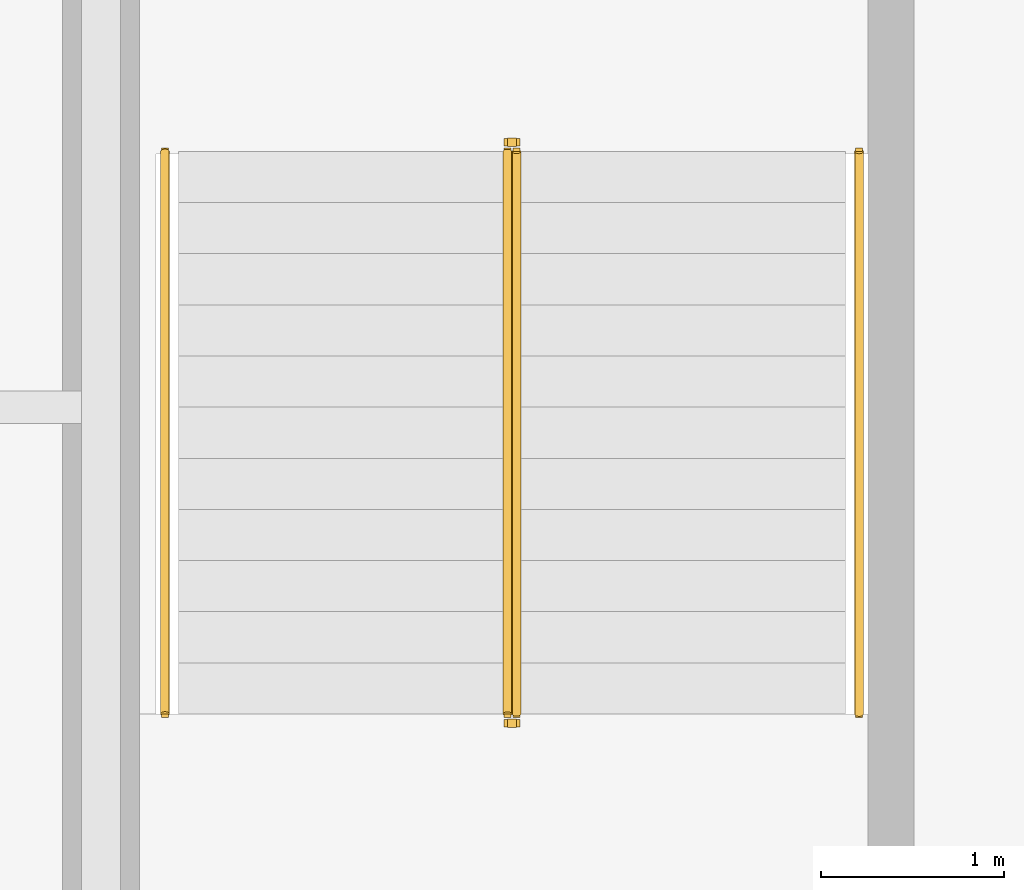
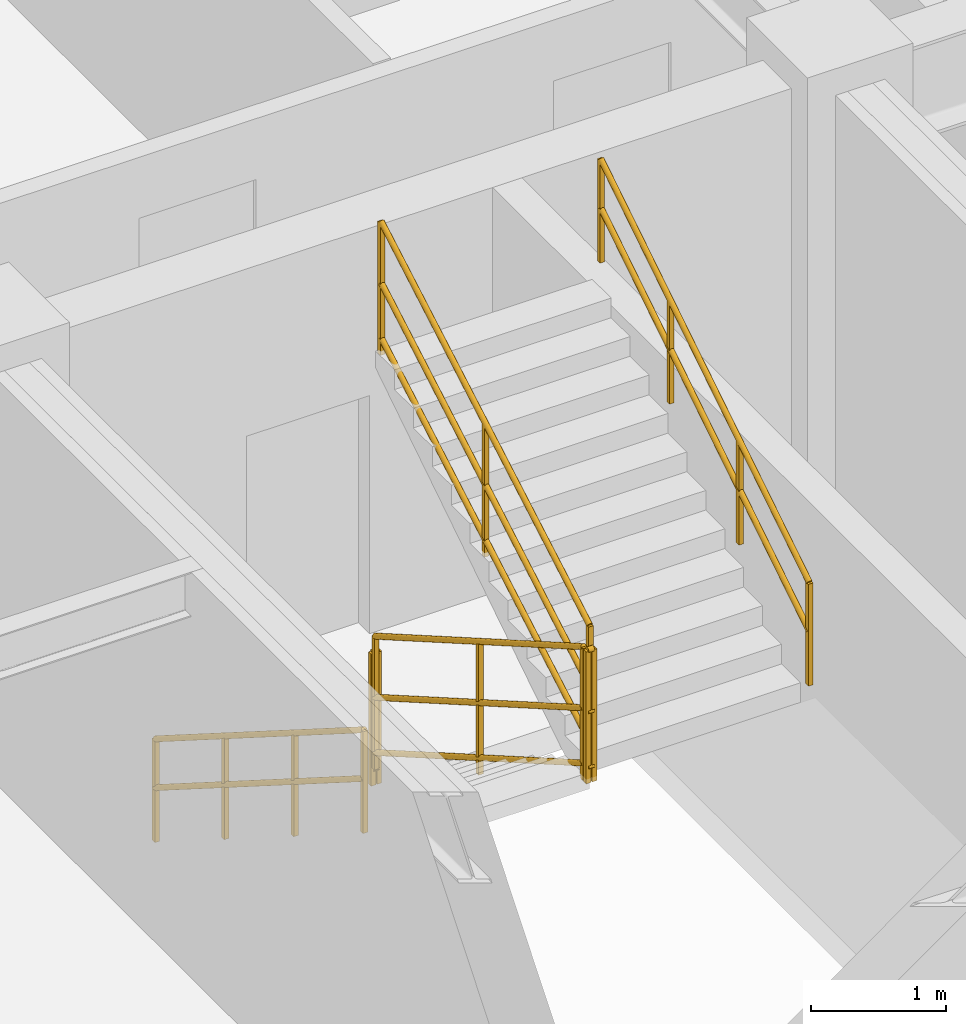
# One storey, part 10 of 10: 6 railings.
"""IFC4 building model written with IfcOpenShell, lengths in metres."""

from ifc_helpers import new_model, entity, si_unit, converted_unit, direction, frame, origin_with_axes, origin_2d_with_axis, place, context, subcontext, project, spatial, rectangle, circle, extrude, material, type_object, element, save


model = new_model("IFC4")

# Units and contexts
model_context = context("Model", 3, precision=1e-05, world=origin_with_axes(), true_north=direction((0.0, 1.0)))
body_context = subcontext(model_context, "Body", "Model", "MODEL_VIEW")
ifc_project = project(units=[si_unit("LENGTHUNIT", "METRE"), si_unit("AREAUNIT", "SQUARE_METRE"), si_unit("VOLUMEUNIT", "CUBIC_METRE"), converted_unit("PLANEANGLEUNIT", "DEGREE", entity("IfcPlaneAngleMeasure", 0.017453292519943295), si_unit("PLANEANGLEUNIT", "RADIAN"), dimensions=[0, 0, 0, 0, 0, 0, 0]), si_unit("MASSUNIT", "GRAM", prefix="KILO"), si_unit("THERMODYNAMICTEMPERATUREUNIT", "KELVIN")], contexts=[model_context])

# Site, building, storey
site_placement = place(None, origin_with_axes())
site = spatial("IfcSite", under=ifc_project, at=site_placement, CompositionType="ELEMENT")
building_placement = place(site_placement, origin_with_axes())
building = spatial("IfcBuilding", under=site, at=building_placement, Name="Varnlund Millrace Tower", CompositionType="ELEMENT")
storey_placement = place(building_placement, frame((0.0, 0.0, 228.6), z_axis=(0.0, 0.0, 1.0), x_axis=(1.0, 0.0, 0.0)))
storey = spatial("IfcBuildingStorey", under=building, at=storey_placement, Name="L56", CompositionType="ELEMENT", Elevation=228.6)

# Railings
ifc_material_1 = material(Name="Painted steel stair well balustrade guard", Category="steel")
railing_type_1 = type_object("IfcRailingType", Name="Type-StairGuard-1150", PredefinedType="GUARDRAIL", material=ifc_material_1)
railing_1_placement = place(storey_placement, frame((0.0, 0.0, -228.6), z_axis=(0.0, 0.0, 1.0), x_axis=(1.0, 0.0, 0.0)))
element("IfcRailing", 1, at=railing_1_placement, inside=storey, type_object=railing_type_1, Name="Type-StairGuard-1150", PredefinedType="GUARDRAIL", context=body_context, shape_type="SweptSolid", body=[
    extrude(circle(Radius=0.024, at=origin_2d_with_axis()), frame((13.625, 35.9, 229.927273), z_axis=(0.0, -0.866696, 0.498836), x_axis=(1.0, 0.0, 0.0)), (0.0, 0.0, 1.0), 3.553725),
    extrude(circle(Radius=0.024, at=origin_2d_with_axis()), frame((13.625, 35.9, 228.877273), z_axis=(0.0, -0.866696, 0.498836), x_axis=(1.0, 0.0, 0.0)), (0.0, 0.0, 1.0), 3.553725),
    extrude(circle(Radius=0.024, at=origin_2d_with_axis()), frame((13.625, 35.9, 229.375273), z_axis=(0.0, -0.866696, 0.498836), x_axis=(1.0, 0.0, 0.0)), (0.0, 0.0, 1.0), 3.553725),
    extrude(rectangle(XDim=0.04, YDim=0.04, at=origin_2d_with_axis()), frame((13.625, 35.9, 228.737273), z_axis=(0.0, 0.0, 1.0), x_axis=(1.0, 0.0, 0.0)), (0.0, 0.0, 1.0), 1.19),
    extrude(rectangle(XDim=0.04, YDim=0.04, at=origin_2d_with_axis()), frame((13.625, 34.36, 229.623636), z_axis=(0.0, 0.0, 1.0), x_axis=(1.0, 0.0, 0.0)), (0.0, 0.0, 1.0), 1.19),
    extrude(rectangle(XDim=0.04, YDim=0.04, at=origin_2d_with_axis()), frame((13.625, 32.82, 230.51), z_axis=(0.0, 0.0, 1.0), x_axis=(1.0, 0.0, 0.0)), (0.0, 0.0, 1.0), 1.19),
])
railing_2_placement = place(storey_placement, frame((0.0, 0.0, -228.6), z_axis=(0.0, 0.0, 1.0), x_axis=(1.0, 0.0, 0.0)))
element("IfcRailing", 2, at=railing_2_placement, inside=storey, type_object=railing_type_1, Name="Type-StairGuard-1150", PredefinedType="GUARDRAIL", context=body_context, shape_type="SweptSolid", body=[
    extrude(circle(Radius=0.024, at=origin_2d_with_axis()), frame((13.675, 32.77, 231.7), z_axis=(-1.0, 0.0, 0.0), x_axis=(0.0, -1.0, 0.0)), (0.0, 0.0, 1.0), 0.05),
    extrude(circle(Radius=0.024, at=origin_2d_with_axis()), frame((13.675, 32.77, 230.65), z_axis=(-1.0, 0.0, 0.0), x_axis=(0.0, -1.0, 0.0)), (0.0, 0.0, 1.0), 0.05),
    extrude(circle(Radius=0.024, at=origin_2d_with_axis()), frame((13.675, 32.77, 231.148), z_axis=(-1.0, 0.0, 0.0), x_axis=(0.0, -1.0, 0.0)), (0.0, 0.0, 1.0), 0.05),
    extrude(rectangle(XDim=0.04, YDim=0.04, at=origin_2d_with_axis()), frame((13.675, 32.77, 230.51), z_axis=(0.0, 0.0, 1.0), x_axis=(1.0, 0.0, 0.0)), (0.0, 0.0, 1.0), 1.19),
    extrude(rectangle(XDim=0.04, YDim=0.04, at=origin_2d_with_axis()), frame((13.625, 32.77, 230.51), z_axis=(0.0, 0.0, 1.0), x_axis=(1.0, 0.0, 0.0)), (0.0, 0.0, 1.0), 1.19),
])
railing_3_placement = place(storey_placement, frame((0.0, 0.0, -228.6), z_axis=(0.0, 0.0, 1.0), x_axis=(1.0, 0.0, 0.0)))
element("IfcRailing", 3, at=railing_3_placement, inside=storey, type_object=railing_type_1, Name="Type-StairGuard-1150", PredefinedType="GUARDRAIL", context=body_context, shape_type="SweptSolid", body=[
    extrude(circle(Radius=0.024, at=origin_2d_with_axis()), frame((13.675, 32.82, 231.877273), z_axis=(0.0, 0.866696, 0.498836), x_axis=(-1.0, 0.0, 0.0)), (0.0, 0.0, 1.0), 3.553725),
    extrude(circle(Radius=0.024, at=origin_2d_with_axis()), frame((13.675, 32.82, 230.827273), z_axis=(0.0, 0.866696, 0.498836), x_axis=(-1.0, 0.0, 0.0)), (0.0, 0.0, 1.0), 3.553725),
    extrude(circle(Radius=0.024, at=origin_2d_with_axis()), frame((13.675, 32.82, 231.325273), z_axis=(0.0, 0.866696, 0.498836), x_axis=(-1.0, 0.0, 0.0)), (0.0, 0.0, 1.0), 3.553725),
    extrude(rectangle(XDim=0.04, YDim=0.04, at=origin_2d_with_axis()), frame((13.675, 32.82, 230.687273), z_axis=(0.0, 0.0, 1.0), x_axis=(1.0, 0.0, 0.0)), (0.0, 0.0, 1.0), 1.19),
    extrude(rectangle(XDim=0.04, YDim=0.04, at=origin_2d_with_axis()), frame((13.675, 34.36, 231.573636), z_axis=(0.0, 0.0, 1.0), x_axis=(1.0, 0.0, 0.0)), (0.0, 0.0, 1.0), 1.19),
    extrude(rectangle(XDim=0.04, YDim=0.04, at=origin_2d_with_axis()), frame((13.675, 35.9, 232.46), z_axis=(0.0, 0.0, 1.0), x_axis=(1.0, 0.0, 0.0)), (0.0, 0.0, 1.0), 1.19),
])
railing_4_placement = place(storey_placement, frame((0.0, 0.0, -228.6), z_axis=(0.0, 0.0, 1.0), x_axis=(1.0, 0.0, 0.0)))
element("IfcRailing", 4, at=railing_4_placement, inside=storey, type_object=railing_type_1, Name="Type-StairGuard-1150", PredefinedType="GUARDRAIL", context=body_context, shape_type="SweptSolid", body=[
    extrude(circle(Radius=0.024, at=origin_2d_with_axis()), frame((13.675, 35.95, 229.75), z_axis=(-1.0, 0.0, 0.0), x_axis=(0.0, -1.0, 0.0)), (0.0, 0.0, 1.0), 0.05),
    extrude(circle(Radius=0.024, at=origin_2d_with_axis()), frame((13.675, 35.95, 228.7), z_axis=(-1.0, 0.0, 0.0), x_axis=(0.0, -1.0, 0.0)), (0.0, 0.0, 1.0), 0.05),
    extrude(circle(Radius=0.024, at=origin_2d_with_axis()), frame((13.675, 35.95, 229.198), z_axis=(-1.0, 0.0, 0.0), x_axis=(0.0, -1.0, 0.0)), (0.0, 0.0, 1.0), 0.05),
    extrude(rectangle(XDim=0.04, YDim=0.04, at=origin_2d_with_axis()), frame((13.675, 35.95, 228.56), z_axis=(0.0, 0.0, 1.0), x_axis=(1.0, 0.0, 0.0)), (0.0, 0.0, 1.0), 1.19),
    extrude(rectangle(XDim=0.04, YDim=0.04, at=origin_2d_with_axis()), frame((13.625, 35.95, 228.56), z_axis=(0.0, 0.0, 1.0), x_axis=(1.0, 0.0, 0.0)), (0.0, 0.0, 1.0), 1.19),
])
ifc_material_2 = material(Name="Brushed architectural bronze stair handrail", Category="aluminium")
railing_type_2 = type_object("IfcRailingType", Name="Type-StairHandrail-900", PredefinedType="HANDRAIL", material=ifc_material_2)
railing_5_placement = place(storey_placement, frame((0.0, 0.0, -228.6), z_axis=(0.0, 0.0, 1.0), x_axis=(1.0, 0.0, 0.0)))
element("IfcRailing", 5, at=railing_5_placement, inside=storey, type_object=railing_type_2, Name="Type-StairHandrail-900", PredefinedType="HANDRAIL", context=body_context, shape_type="SweptSolid", body=[
    extrude(circle(Radius=0.024, at=origin_2d_with_axis()), frame((11.75, 35.9, 229.656995), z_axis=(0.0, -0.844902, 0.534922), x_axis=(1.0, 0.0, 0.0)), (0.0, 0.0, 1.0), 3.645394),
    extrude(circle(Radius=0.024, at=origin_2d_with_axis()), frame((11.75, 35.9, 229.217134), z_axis=(0.0, -0.844902, 0.534922), x_axis=(1.0, 0.0, 0.0)), (0.0, 0.0, 1.0), 3.645394),
    extrude(rectangle(XDim=0.04, YDim=0.04, at=origin_2d_with_axis()), frame((11.75, 35.9, 228.737273), z_axis=(0.0, 0.0, 1.0), x_axis=(1.0, 0.0, 0.0)), (0.0, 0.0, 1.0), 0.919722),
    extrude(rectangle(XDim=0.04, YDim=0.04, at=origin_2d_with_axis()), frame((11.75, 34.873333, 229.387273), z_axis=(0.0, 0.0, 1.0), x_axis=(1.0, 0.0, 0.0)), (0.0, 0.0, 1.0), 0.919722),
    extrude(rectangle(XDim=0.04, YDim=0.04, at=origin_2d_with_axis()), frame((11.75, 33.846667, 230.037273), z_axis=(0.0, 0.0, 1.0), x_axis=(1.0, 0.0, 0.0)), (0.0, 0.0, 1.0), 0.919722),
    extrude(rectangle(XDim=0.04, YDim=0.04, at=origin_2d_with_axis()), frame((11.75, 32.82, 230.687273), z_axis=(0.0, 0.0, 1.0), x_axis=(1.0, 0.0, 0.0)), (0.0, 0.0, 1.0), 0.919722),
])
railing_6_placement = place(storey_placement, frame((0.0, 0.0, -228.6), z_axis=(0.0, 0.0, 1.0), x_axis=(1.0, 0.0, 0.0)))
element("IfcRailing", 6, at=railing_6_placement, inside=storey, type_object=railing_type_2, Name="Type-StairHandrail-900", PredefinedType="HANDRAIL", context=body_context, shape_type="SweptSolid", body=[
    extrude(circle(Radius=0.024, at=origin_2d_with_axis()), frame((15.55, 32.82, 231.606995), z_axis=(0.0, 0.844902, 0.534922), x_axis=(-1.0, 0.0, 0.0)), (0.0, 0.0, 1.0), 3.645394),
    extrude(circle(Radius=0.024, at=origin_2d_with_axis()), frame((15.55, 32.82, 231.167134), z_axis=(0.0, 0.844902, 0.534922), x_axis=(-1.0, 0.0, 0.0)), (0.0, 0.0, 1.0), 3.645394),
    extrude(rectangle(XDim=0.04, YDim=0.04, at=origin_2d_with_axis()), frame((15.55, 32.82, 230.687273), z_axis=(0.0, 0.0, 1.0), x_axis=(1.0, 0.0, 0.0)), (0.0, 0.0, 1.0), 0.919722),
    extrude(rectangle(XDim=0.04, YDim=0.04, at=origin_2d_with_axis()), frame((15.55, 33.846667, 231.337273), z_axis=(0.0, 0.0, 1.0), x_axis=(1.0, 0.0, 0.0)), (0.0, 0.0, 1.0), 0.919722),
    extrude(rectangle(XDim=0.04, YDim=0.04, at=origin_2d_with_axis()), frame((15.55, 34.873333, 231.987273), z_axis=(0.0, 0.0, 1.0), x_axis=(1.0, 0.0, 0.0)), (0.0, 0.0, 1.0), 0.919722),
    extrude(rectangle(XDim=0.04, YDim=0.04, at=origin_2d_with_axis()), frame((15.55, 35.9, 232.637273), z_axis=(0.0, 0.0, 1.0), x_axis=(1.0, 0.0, 0.0)), (0.0, 0.0, 1.0), 0.919722),
])

save(model, "model.ifc")
